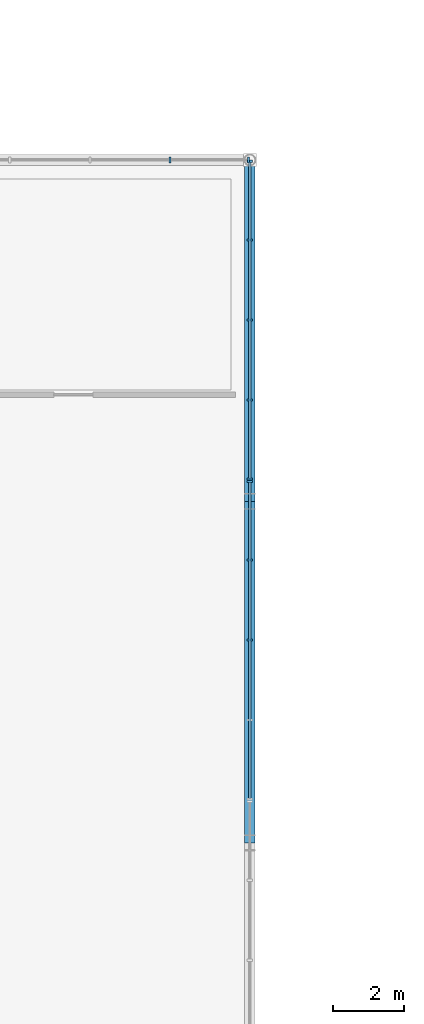
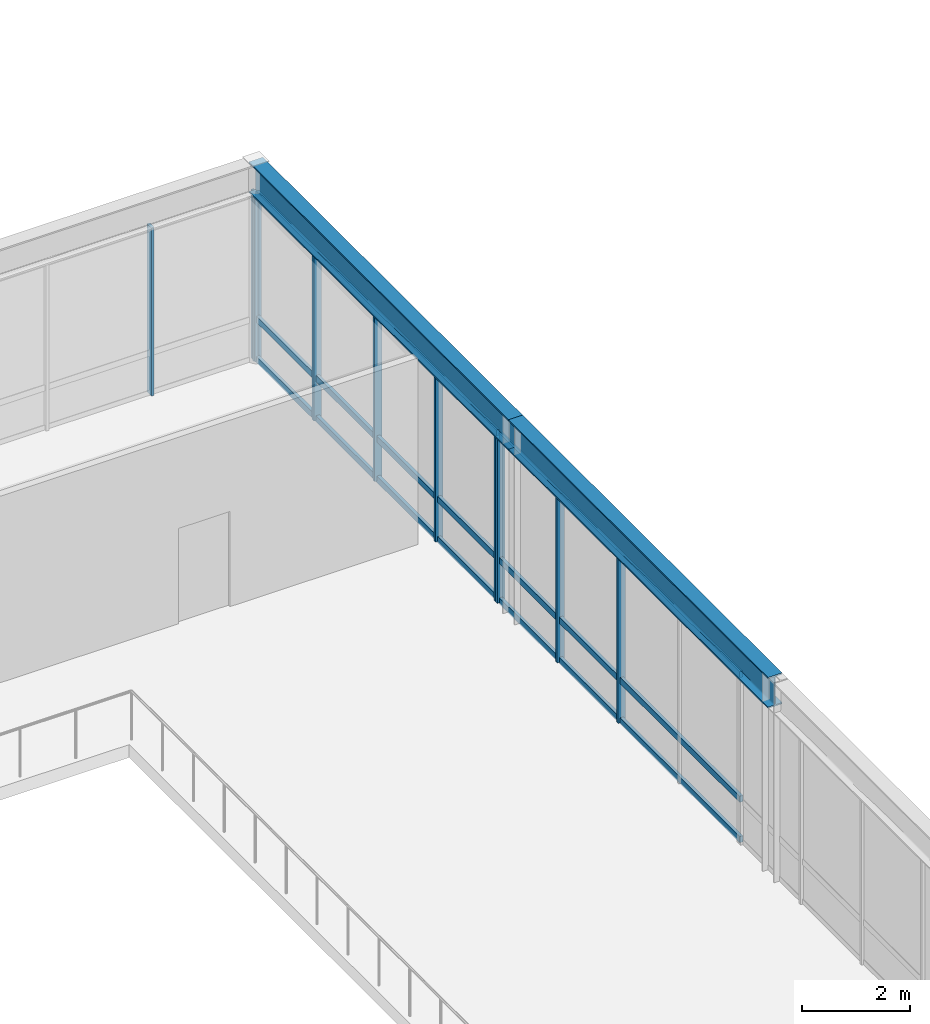
# One storey, part 30 of 64: 16 members, 2 beams, 3 elements without a shape of their own.
"""IFC4 building model written with IfcOpenShell, lengths in metres."""

from ifc_helpers import new_model, si_unit, direction, frame, origin, origin_2d, place, context, subcontext, project, spatial, rectangle, i_section, extrude, material, layer, layer_set, material_profile, profile_set, type_object, element, aggregate, save


model = new_model("IFC4")

# Units and contexts
model_context = context("Model", 3, precision=1e-05, world=origin(), true_north=direction((0.0, 1.0)))
body_context = subcontext(model_context, "Body", "Model", "MODEL_VIEW")
ifc_project = project(units=[si_unit("LENGTHUNIT", "METRE"), si_unit("AREAUNIT", "SQUARE_METRE"), si_unit("VOLUMEUNIT", "CUBIC_METRE"), si_unit("PLANEANGLEUNIT", "RADIAN"), si_unit("MASSUNIT", "GRAM", prefix="KILO")], contexts=[model_context])

# Site, building, storey
site_placement = place(None, origin())
site = spatial("IfcSite", under=ifc_project, at=site_placement, CompositionType="ELEMENT")
building_placement = place(site_placement, origin())
building = spatial("IfcBuilding", under=site, at=building_placement, Name="Montealbar Specialist Clinic", CompositionType="ELEMENT")
storey_placement = place(building_placement, frame((0.0, 0.0, 5.10009765625)))
storey = spatial("IfcBuildingStorey", under=building, at=storey_placement, Name="L01", CompositionType="ELEMENT", Elevation=5.10009765625)

# Beams
ifc_material_1 = material(Name="Steel S355", Category="steel")
ifc_material_profile_1 = material_profile(ifc_material_1, i_section(OverallWidth=0.300048828125, OverallDepth=0.699951171875, WebThickness=0.01708984375, FlangeThickness=0.031982421875, FilletRadius=0.027099609375, at=origin_2d()), Name="HEB 700", Category="steel")
ifc_profile_set_1 = profile_set([ifc_material_profile_1], Name="Steel S355")
beam_type = type_object("IfcBeamType", Name="BM-RING-HEB700-EXT", PredefinedType="BEAM", material=ifc_profile_set_1)
beam_1_placement = place(storey_placement, frame((99.0, 61.800048828125, 4.14990234375), z_axis=(0.0, 1.0, 0.0), x_axis=(-1.0, 0.0, 0.0)))
element("IfcBeam", 1, at=beam_1_placement, inside=storey, type_object=beam_type, Name="Gridshell perimeter ring beam RB-01 Y 61.8-71.4", PredefinedType="BEAM", context=body_context, shape_type="SweptSolid", body=[
    extrude(i_section(OverallWidth=0.300048828125, OverallDepth=0.699951171875, WebThickness=0.01708984375, FlangeThickness=0.031982421875, FilletRadius=0.027099609375, at=origin_2d()), origin(), (0.0, 0.0, 1.0), 9.599853515625),
])
beam_2_placement = place(storey_placement, frame((99.0, 71.39990234375, 4.14990234375), z_axis=(0.0, 1.0, 0.0), x_axis=(-1.0, 0.0, 0.0)))
element("IfcBeam", 2, at=beam_2_placement, inside=storey, type_object=beam_type, Name="Gridshell perimeter ring beam RB-01 Y 71.4-81.0", PredefinedType="BEAM", context=body_context, shape_type="SweptSolid", body=[
    extrude(i_section(OverallWidth=0.300048828125, OverallDepth=0.699951171875, WebThickness=0.01708984375, FlangeThickness=0.031982421875, FilletRadius=0.027099609375, at=origin_2d()), origin(), (0.0, 0.0, 1.0), 9.60009765625),
])

# Curtain wall, members
ifc_material_2 = material(Name="Low-E double glazing", Category="glass")
ifc_layer = layer(ifc_material_2, 0.199951171875, Name="Low-E double glazing", Category="glass")
ifc_layer_set = layer_set([ifc_layer], Name="Low-E double glazing")
curtain_wall_type = type_object("IfcCurtainWallType", Name="CW-TYPE-08", PredefinedType="NOTDEFINED", material=ifc_layer_set)
curtain_wall_1_placement = place(storey_placement, origin())
curtain_wall_1 = element("IfcCurtainWall", 3, at=curtain_wall_1_placement, inside=storey, type_object=curtain_wall_type, Name="Unitised Curtain Wall CW-L01-900-810-990-810-51", PredefinedType="NOTDEFINED")
ifc_material_3 = material(Name="Anodised aluminium EN AW-6063", Category="aluminium")
ifc_material_profile_2 = material_profile(ifc_material_3, rectangle(XDim=0.06005859375, YDim=0.159912109375, at=origin_2d()), Name="ALU 60x160", Category="aluminium")
ifc_profile_set_2 = profile_set([ifc_material_profile_2], Name="Anodised aluminium EN AW-6063")
member_type_1 = type_object("IfcMemberType", Name="CW-MUL-160", PredefinedType="MULLION", material=ifc_profile_set_2)
member_1_placement = place(storey_placement, frame((96.75, 81.0, 0.0), z_axis=(0.0, 0.0, 1.0), x_axis=(1.0, 0.0, 0.0)))
member_1 = element("IfcMember", 4, at=member_1_placement, type_object=member_type_1, Name="Curtain Wall Mullion CW-L01-900-810-990-810-51-03", PredefinedType="MULLION", context=body_context, shape_type="SweptSolid", body=[
    extrude(rectangle(XDim=0.06005859375, YDim=0.159912109375, at=origin_2d()), origin(), (0.0, 0.0, 1.0), 3.7998046875),
])
member_2_placement = place(storey_placement, frame((98.965087890625, 81.0, 0.0), z_axis=(0.0, 0.0, 1.0), x_axis=(1.0, 0.0, 0.0)))
member_2 = element("IfcMember", 5, at=member_2_placement, type_object=member_type_1, Name="Curtain Wall Mullion CW-L01-900-810-990-810-51-04", PredefinedType="MULLION", context=body_context, shape_type="SweptSolid", body=[
    extrude(rectangle(XDim=0.06005859375, YDim=0.159912109375, at=origin_2d()), origin(), (0.0, 0.0, 1.0), 3.7998046875),
])
aggregate(curtain_wall_1, [member_1, member_2])

curtain_wall_2_placement = place(storey_placement, origin())
curtain_wall_2 = element("IfcCurtainWall", 6, at=curtain_wall_2_placement, inside=storey, type_object=curtain_wall_type, Name="Unitised Curtain Wall CW-L01-990-810-990-720-51", PredefinedType="NOTDEFINED")
member_3_placement = place(storey_placement, frame((99.0, 80.965087890625, 0.0), z_axis=(0.0, 0.0, 1.0), x_axis=(0.0, -1.0, 0.0)))
member_3 = element("IfcMember", 7, at=member_3_placement, type_object=member_type_1, Name="Curtain Wall Mullion CW-L01-990-810-990-720-51-00", PredefinedType="MULLION", context=body_context, shape_type="SweptSolid", body=[
    extrude(rectangle(XDim=0.06005859375, YDim=0.159912109375, at=origin_2d()), origin(), (0.0, 0.0, 1.0), 3.7998046875),
])
member_4_placement = place(storey_placement, frame((99.0, 78.75, 0.0), z_axis=(0.0, 0.0, 1.0), x_axis=(0.0, -1.0, 0.0)))
member_4 = element("IfcMember", 8, at=member_4_placement, type_object=member_type_1, Name="Curtain Wall Mullion CW-L01-990-810-990-720-51-01", PredefinedType="MULLION", context=body_context, shape_type="SweptSolid", body=[
    extrude(rectangle(XDim=0.06005859375, YDim=0.159912109375, at=origin_2d()), origin(), (0.0, 0.0, 1.0), 3.7998046875),
])
member_5_placement = place(storey_placement, frame((99.0, 76.5, 0.0), z_axis=(0.0, 0.0, 1.0), x_axis=(0.0, -1.0, 0.0)))
member_5 = element("IfcMember", 9, at=member_5_placement, type_object=member_type_1, Name="Curtain Wall Mullion CW-L01-990-810-990-720-51-02", PredefinedType="MULLION", context=body_context, shape_type="SweptSolid", body=[
    extrude(rectangle(XDim=0.06005859375, YDim=0.159912109375, at=origin_2d()), origin(), (0.0, 0.0, 1.0), 3.7998046875),
])
member_6_placement = place(storey_placement, frame((99.0, 74.25, 0.0), z_axis=(0.0, 0.0, 1.0), x_axis=(0.0, -1.0, 0.0)))
member_6 = element("IfcMember", 10, at=member_6_placement, type_object=member_type_1, Name="Curtain Wall Mullion CW-L01-990-810-990-720-51-03", PredefinedType="MULLION", context=body_context, shape_type="SweptSolid", body=[
    extrude(rectangle(XDim=0.06005859375, YDim=0.159912109375, at=origin_2d()), origin(), (0.0, 0.0, 1.0), 3.7998046875),
])
member_7_placement = place(storey_placement, frame((99.0, 72.034912109375, 0.0), z_axis=(0.0, 0.0, 1.0), x_axis=(0.0, -1.0, 0.0)))
member_7 = element("IfcMember", 11, at=member_7_placement, type_object=member_type_1, Name="Curtain Wall Mullion CW-L01-990-810-990-720-51-04", PredefinedType="MULLION", context=body_context, shape_type="SweptSolid", body=[
    extrude(rectangle(XDim=0.06005859375, YDim=0.159912109375, at=origin_2d()), origin(), (0.0, 0.0, 1.0), 3.7998046875),
])

curtain_wall_3_placement = place(storey_placement, origin())
curtain_wall_3 = element("IfcCurtainWall", 12, at=curtain_wall_3_placement, inside=storey, type_object=curtain_wall_type, Name="Unitised Curtain Wall CW-L01-990-720-990-630-51", PredefinedType="NOTDEFINED")
member_8_placement = place(storey_placement, frame((99.0, 71.965087890625, 0.0), z_axis=(0.0, 0.0, 1.0), x_axis=(0.0, -1.0, 0.0)))
member_8 = element("IfcMember", 13, at=member_8_placement, type_object=member_type_1, Name="Curtain Wall Mullion CW-L01-990-720-990-630-51-00", PredefinedType="MULLION", context=body_context, shape_type="SweptSolid", body=[
    extrude(rectangle(XDim=0.06005859375, YDim=0.159912109375, at=origin_2d()), origin(), (0.0, 0.0, 1.0), 3.7998046875),
])
member_9_placement = place(storey_placement, frame((99.0, 69.75, 0.0), z_axis=(0.0, 0.0, 1.0), x_axis=(0.0, -1.0, 0.0)))
member_9 = element("IfcMember", 14, at=member_9_placement, type_object=member_type_1, Name="Curtain Wall Mullion CW-L01-990-720-990-630-51-01", PredefinedType="MULLION", context=body_context, shape_type="SweptSolid", body=[
    extrude(rectangle(XDim=0.06005859375, YDim=0.159912109375, at=origin_2d()), origin(), (0.0, 0.0, 1.0), 3.7998046875),
])
member_10_placement = place(storey_placement, frame((99.0, 67.5, 0.0), z_axis=(0.0, 0.0, 1.0), x_axis=(0.0, -1.0, 0.0)))
member_10 = element("IfcMember", 15, at=member_10_placement, type_object=member_type_1, Name="Curtain Wall Mullion CW-L01-990-720-990-630-51-02", PredefinedType="MULLION", context=body_context, shape_type="SweptSolid", body=[
    extrude(rectangle(XDim=0.06005859375, YDim=0.159912109375, at=origin_2d()), origin(), (0.0, 0.0, 1.0), 3.7998046875),
])

# Member
ifc_material_4 = material(Name="Powder-coated aluminium", Category="aluminium")
ifc_material_profile_3 = material_profile(ifc_material_4, rectangle(XDim=0.070068359375, YDim=0.139892578125, at=origin_2d()), Name="ALU 70x140", Category="aluminium")
ifc_profile_set_3 = profile_set([ifc_material_profile_3], Name="Powder-coated aluminium")
member_type_2 = type_object("IfcMemberType", Name="CW-TRN-140", PredefinedType="USERDEFINED", material=ifc_profile_set_3)
member_11_placement = place(storey_placement, frame((99.0, 80.949951171875, 0.039794921875), z_axis=(0.0, -1.0, 0.0), x_axis=(1.0, 0.0, 0.0)))
member_11 = element("IfcMember", 16, at=member_11_placement, type_object=member_type_2, Name="Curtain Wall Transom CW-L01-990-810-990-720-51-00", ObjectType="TRANSOM", PredefinedType="USERDEFINED", context=body_context, shape_type="SweptSolid", body=[
    extrude(rectangle(XDim=0.070068359375, YDim=0.139892578125, at=origin_2d()), origin(), (0.0, 0.0, 1.0), 8.89990234375),
])

member_12_placement = place(storey_placement, frame((99.0, 80.949951171875, 0.949951171875), z_axis=(0.0, -1.0, 0.0), x_axis=(1.0, 0.0, 0.0)))
member_12 = element("IfcMember", 17, at=member_12_placement, type_object=member_type_2, Name="Curtain Wall Transom CW-L01-990-810-990-720-51-01", ObjectType="TRANSOM", PredefinedType="USERDEFINED", context=body_context, shape_type="SweptSolid", body=[
    extrude(rectangle(XDim=0.070068359375, YDim=0.139892578125, at=origin_2d()), origin(), (0.0, 0.0, 1.0), 8.89990234375),
])

member_13_placement = place(storey_placement, frame((99.0, 80.949951171875, 3.760009765625), z_axis=(0.0, -1.0, 0.0), x_axis=(1.0, 0.0, 0.0)))
member_13 = element("IfcMember", 18, at=member_13_placement, type_object=member_type_2, Name="Curtain Wall Transom CW-L01-990-810-990-720-51-02", ObjectType="TRANSOM", PredefinedType="USERDEFINED", context=body_context, shape_type="SweptSolid", body=[
    extrude(rectangle(XDim=0.070068359375, YDim=0.139892578125, at=origin_2d()), origin(), (0.0, 0.0, 1.0), 8.89990234375),
])

aggregate(curtain_wall_2, [member_3, member_4, member_5, member_6, member_7, member_11, member_12, member_13])

member_14_placement = place(storey_placement, frame((99.0, 71.949951171875, 0.039794921875), z_axis=(0.0, -1.0, 0.0), x_axis=(1.0, 0.0, 0.0)))
member_14 = element("IfcMember", 19, at=member_14_placement, type_object=member_type_2, Name="Curtain Wall Transom CW-L01-990-720-990-630-51-00", ObjectType="TRANSOM", PredefinedType="USERDEFINED", context=body_context, shape_type="SweptSolid", body=[
    extrude(rectangle(XDim=0.070068359375, YDim=0.139892578125, at=origin_2d()), origin(), (0.0, 0.0, 1.0), 8.89990234375),
])

member_15_placement = place(storey_placement, frame((99.0, 71.949951171875, 0.949951171875), z_axis=(0.0, -1.0, 0.0), x_axis=(1.0, 0.0, 0.0)))
member_15 = element("IfcMember", 20, at=member_15_placement, type_object=member_type_2, Name="Curtain Wall Transom CW-L01-990-720-990-630-51-01", ObjectType="TRANSOM", PredefinedType="USERDEFINED", context=body_context, shape_type="SweptSolid", body=[
    extrude(rectangle(XDim=0.070068359375, YDim=0.139892578125, at=origin_2d()), origin(), (0.0, 0.0, 1.0), 8.89990234375),
])

member_16_placement = place(storey_placement, frame((99.0, 71.949951171875, 3.760009765625), z_axis=(0.0, -1.0, 0.0), x_axis=(1.0, 0.0, 0.0)))
member_16 = element("IfcMember", 21, at=member_16_placement, type_object=member_type_2, Name="Curtain Wall Transom CW-L01-990-720-990-630-51-02", ObjectType="TRANSOM", PredefinedType="USERDEFINED", context=body_context, shape_type="SweptSolid", body=[
    extrude(rectangle(XDim=0.070068359375, YDim=0.139892578125, at=origin_2d()), origin(), (0.0, 0.0, 1.0), 8.89990234375),
])

aggregate(curtain_wall_3, [member_8, member_9, member_10, member_14, member_15, member_16])

save(model, "model.ifc")
